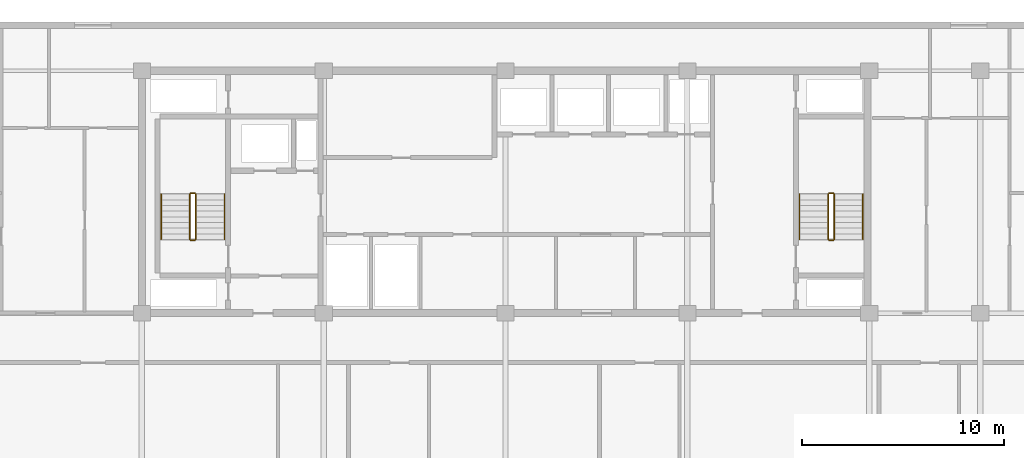
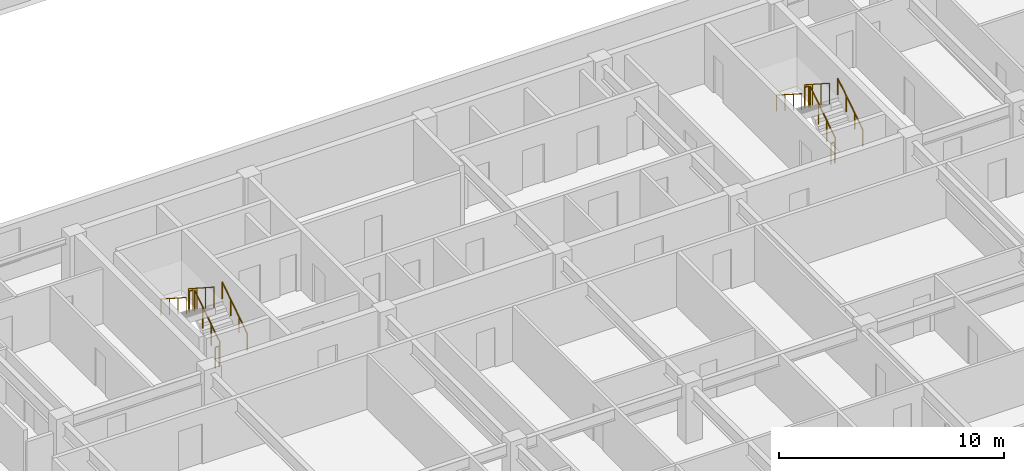
# One storey, part 18 of 21: 12 railings.
"""IFC4 building model written with IfcOpenShell, lengths in metres."""

from ifc_helpers import new_model, si_unit, direction, frame, origin, origin_2d, place, context, subcontext, project, spatial, circle, extrude, material, type_object, element, save


model = new_model("IFC4")

# Units and contexts
model_context = context("Model", 3, precision=1e-05, world=origin(), true_north=direction((0.0, 1.0)))
body_context = subcontext(model_context, "Body", "Model", "MODEL_VIEW")
ifc_project = project(units=[si_unit("LENGTHUNIT", "METRE"), si_unit("AREAUNIT", "SQUARE_METRE"), si_unit("VOLUMEUNIT", "CUBIC_METRE"), si_unit("PLANEANGLEUNIT", "RADIAN"), si_unit("MASSUNIT", "GRAM", prefix="KILO")], contexts=[model_context])

# Site, building, storey
site_placement = place(None, origin())
site = spatial("IfcSite", under=ifc_project, at=site_placement, CompositionType="ELEMENT")
building_placement = place(site_placement, origin())
building = spatial("IfcBuilding", under=site, at=building_placement, Name="Korimba Cascade Residences", CompositionType="ELEMENT")
storey_placement = place(building_placement, frame((0.0, 0.0, 113.300048828125)))
storey = spatial("IfcBuildingStorey", under=building, at=storey_placement, Name="L32", CompositionType="ELEMENT", Elevation=113.300048828125)

# Railings
ifc_material_1 = material(Name="Painted Steel Stairwell Guardrail", Category="steel")
railing_type_1 = type_object("IfcRailingType", Name="RLG-ST-GD1150", PredefinedType="GUARDRAIL", material=ifc_material_1)
railing_1_placement = place(storey_placement, frame((84.77001953125, 22.050048828125, 0.180419921875)))
element("IfcRailing", 1, at=railing_1_placement, inside=storey, type_object=railing_type_1, Name="L32 ST-E1 stair guard 1", PredefinedType="GUARDRAIL", context=body_context, shape_type="SweptSolid", body=[
    extrude(circle(Radius=0.02392578125, at=origin_2d()), frame((0.0, 0.0, 1.1259765625), z_axis=(0.0, 0.840394893359, 0.541974559565), x_axis=(-1.0, 0.0, 0.0)), (0.0, 0.0, 1.0), 2.665283203125),
    extrude(circle(Radius=0.02099609375, at=origin_2d()), origin(), (0.0, 0.0, 1.0), 1.101806640625),
    extrude(circle(Radius=0.02099609375, at=origin_2d()), frame((0.0, 0.74658203125, 0.4814453125)), (0.0, 0.0, 1.0), 1.101806640625),
    extrude(circle(Radius=0.02099609375, at=origin_2d()), frame((0.0, 1.493408203125, 0.963134765625)), (0.0, 0.0, 1.0), 1.101806640625),
    extrude(circle(Radius=0.02099609375, at=origin_2d()), frame((0.0, 2.239990234375, 1.444580078125)), (0.0, 0.0, 1.0), 1.101806640625),
])
railing_2_placement = place(storey_placement, frame((84.719970703125, 24.340087890625, 1.625)))
element("IfcRailing", 2, at=railing_2_placement, inside=storey, type_object=railing_type_1, Name="L32 ST-E1 stair guard 2", PredefinedType="GUARDRAIL", context=body_context, shape_type="SweptSolid", body=[
    extrude(circle(Radius=0.02392578125, at=origin_2d()), frame((0.0, 0.0, 1.1259765625), z_axis=(-1.0, 0.0, 0.0), x_axis=(0.0, -1.0, 0.0)), (0.0, 0.0, 1.0), 0.199951171875),
    extrude(circle(Radius=0.02099609375, at=origin_2d()), origin(), (0.0, 0.0, 1.0), 1.101806640625),
    extrude(circle(Radius=0.02099609375, at=origin_2d()), frame((-0.199951171875, 0.0, 0.0)), (0.0, 0.0, 1.0), 1.101806640625),
])
railing_3_placement = place(storey_placement, frame((84.469970703125, 24.2900390625, 1.805419921875)))
element("IfcRailing", 3, at=railing_3_placement, inside=storey, type_object=railing_type_1, Name="L32 ST-E1 stair guard 3", PredefinedType="GUARDRAIL", context=body_context, shape_type="SweptSolid", body=[
    extrude(circle(Radius=0.02392578125, at=origin_2d()), frame((0.0, 0.0, 1.1259765625), z_axis=(0.0, -0.840394893359, 0.541974559565), x_axis=(1.0, 0.0, 0.0)), (0.0, 0.0, 1.0), 2.665283203125),
    extrude(circle(Radius=0.02099609375, at=origin_2d()), origin(), (0.0, 0.0, 1.0), 1.101806640625),
    extrude(circle(Radius=0.02099609375, at=origin_2d()), frame((0.0, -0.74658203125, 0.4814453125)), (0.0, 0.0, 1.0), 1.101806640625),
    extrude(circle(Radius=0.02099609375, at=origin_2d()), frame((0.0, -1.493408203125, 0.963134765625)), (0.0, 0.0, 1.0), 1.101806640625),
    extrude(circle(Radius=0.02099609375, at=origin_2d()), frame((0.0, -2.239990234375, 1.444580078125)), (0.0, 0.0, 1.0), 1.101806640625),
])
railing_4_placement = place(storey_placement, frame((84.719970703125, 22.0, 0.0)))
element("IfcRailing", 4, at=railing_4_placement, inside=storey, type_object=railing_type_1, Name="L32 ST-E1 stair guard 4", PredefinedType="GUARDRAIL", context=body_context, shape_type="SweptSolid", body=[
    extrude(circle(Radius=0.02392578125, at=origin_2d()), frame((0.0, 0.0, 1.1259765625), z_axis=(-1.0, 0.0, 0.0), x_axis=(0.0, -1.0, 0.0)), (0.0, 0.0, 1.0), 0.199951171875),
    extrude(circle(Radius=0.02099609375, at=origin_2d()), origin(), (0.0, 0.0, 1.0), 1.101806640625),
    extrude(circle(Radius=0.02099609375, at=origin_2d()), frame((-0.199951171875, 0.0, 0.0)), (0.0, 0.0, 1.0), 1.101806640625),
])
railing_5_placement = place(storey_placement, frame((116.3701171875, 22.050048828125, 0.180419921875)))
element("IfcRailing", 5, at=railing_5_placement, inside=storey, type_object=railing_type_1, Name="L32 ST-E2 stair guard 1", PredefinedType="GUARDRAIL", context=body_context, shape_type="SweptSolid", body=[
    extrude(circle(Radius=0.02392578125, at=origin_2d()), frame((0.0, 0.0, 1.1259765625), z_axis=(0.0, 0.840394893359, 0.541974559565), x_axis=(-1.0, 0.0, 0.0)), (0.0, 0.0, 1.0), 2.665283203125),
    extrude(circle(Radius=0.02099609375, at=origin_2d()), origin(), (0.0, 0.0, 1.0), 1.101806640625),
    extrude(circle(Radius=0.02099609375, at=origin_2d()), frame((0.0, 0.74658203125, 0.4814453125)), (0.0, 0.0, 1.0), 1.101806640625),
    extrude(circle(Radius=0.02099609375, at=origin_2d()), frame((0.0, 1.493408203125, 0.963134765625)), (0.0, 0.0, 1.0), 1.101806640625),
    extrude(circle(Radius=0.02099609375, at=origin_2d()), frame((0.0, 2.239990234375, 1.444580078125)), (0.0, 0.0, 1.0), 1.101806640625),
])
railing_6_placement = place(storey_placement, frame((116.320068359375, 24.340087890625, 1.625)))
element("IfcRailing", 6, at=railing_6_placement, inside=storey, type_object=railing_type_1, Name="L32 ST-E2 stair guard 2", PredefinedType="GUARDRAIL", context=body_context, shape_type="SweptSolid", body=[
    extrude(circle(Radius=0.02392578125, at=origin_2d()), frame((0.0, 0.0, 1.1259765625), z_axis=(-1.0, 0.0, 0.0), x_axis=(0.0, -1.0, 0.0)), (0.0, 0.0, 1.0), 0.199951171875),
    extrude(circle(Radius=0.02099609375, at=origin_2d()), origin(), (0.0, 0.0, 1.0), 1.101806640625),
    extrude(circle(Radius=0.02099609375, at=origin_2d()), frame((-0.199951171875, 0.0, 0.0)), (0.0, 0.0, 1.0), 1.101806640625),
])
railing_7_placement = place(storey_placement, frame((116.070068359375, 24.2900390625, 1.805419921875)))
element("IfcRailing", 7, at=railing_7_placement, inside=storey, type_object=railing_type_1, Name="L32 ST-E2 stair guard 3", PredefinedType="GUARDRAIL", context=body_context, shape_type="SweptSolid", body=[
    extrude(circle(Radius=0.02392578125, at=origin_2d()), frame((0.0, 0.0, 1.1259765625), z_axis=(0.0, -0.840394893359, 0.541974559565), x_axis=(1.0, 0.0, 0.0)), (0.0, 0.0, 1.0), 2.665283203125),
    extrude(circle(Radius=0.02099609375, at=origin_2d()), origin(), (0.0, 0.0, 1.0), 1.101806640625),
    extrude(circle(Radius=0.02099609375, at=origin_2d()), frame((0.0, -0.74658203125, 0.4814453125)), (0.0, 0.0, 1.0), 1.101806640625),
    extrude(circle(Radius=0.02099609375, at=origin_2d()), frame((0.0, -1.493408203125, 0.963134765625)), (0.0, 0.0, 1.0), 1.101806640625),
    extrude(circle(Radius=0.02099609375, at=origin_2d()), frame((0.0, -2.239990234375, 1.444580078125)), (0.0, 0.0, 1.0), 1.101806640625),
])
railing_8_placement = place(storey_placement, frame((116.320068359375, 22.0, 0.0)))
element("IfcRailing", 8, at=railing_8_placement, inside=storey, type_object=railing_type_1, Name="L32 ST-E2 stair guard 4", PredefinedType="GUARDRAIL", context=body_context, shape_type="SweptSolid", body=[
    extrude(circle(Radius=0.02392578125, at=origin_2d()), frame((0.0, 0.0, 1.1259765625), z_axis=(-1.0, 0.0, 0.0), x_axis=(0.0, -1.0, 0.0)), (0.0, 0.0, 1.0), 0.199951171875),
    extrude(circle(Radius=0.02099609375, at=origin_2d()), origin(), (0.0, 0.0, 1.0), 1.101806640625),
    extrude(circle(Radius=0.02099609375, at=origin_2d()), frame((-0.199951171875, 0.0, 0.0)), (0.0, 0.0, 1.0), 1.101806640625),
])
ifc_material_2 = material(Name="Brushed Stainless Steel Handrail", Category="steel")
railing_type_2 = type_object("IfcRailingType", Name="RLG-ST-HR900", PredefinedType="HANDRAIL", material=ifc_material_2)
railing_9_placement = place(storey_placement, frame((86.18994140625, 22.050048828125, 0.364990234375)))
element("IfcRailing", 9, at=railing_9_placement, inside=storey, type_object=railing_type_2, Name="L32 ST-E1 stair handrail 1", PredefinedType="HANDRAIL", context=body_context, shape_type="SweptSolid", body=[
    extrude(circle(Radius=0.02392578125, at=origin_2d()), frame((0.0, 0.0, 0.8759765625), z_axis=(0.0, 0.840436612492, 0.541909863706), x_axis=(-1.0, 0.0, 0.0)), (0.0, 0.0, 1.0), 2.665283203125),
    extrude(circle(Radius=0.02099609375, at=origin_2d()), origin(), (0.0, 0.0, 1.0), 0.851806640625),
    extrude(circle(Radius=0.02099609375, at=origin_2d()), frame((0.0, 0.74658203125, 0.4814453125)), (0.0, 0.0, 1.0), 0.851806640625),
    extrude(circle(Radius=0.02099609375, at=origin_2d()), frame((0.0, 1.493408203125, 0.962890625)), (0.0, 0.0, 1.0), 0.851806640625),
    extrude(circle(Radius=0.02099609375, at=origin_2d()), frame((0.0, 2.239990234375, 1.4443359375)), (0.0, 0.0, 1.0), 0.851806640625),
])
railing_10_placement = place(storey_placement, frame((83.050048828125, 24.2900390625, 1.989990234375)))
element("IfcRailing", 10, at=railing_10_placement, inside=storey, type_object=railing_type_2, Name="L32 ST-E1 stair handrail 2", PredefinedType="HANDRAIL", context=body_context, shape_type="SweptSolid", body=[
    extrude(circle(Radius=0.02392578125, at=origin_2d()), frame((0.0, 0.0, 0.8759765625), z_axis=(0.0, -0.840436612492, 0.541909863706), x_axis=(1.0, 0.0, 0.0)), (0.0, 0.0, 1.0), 2.665283203125),
    extrude(circle(Radius=0.02099609375, at=origin_2d()), origin(), (0.0, 0.0, 1.0), 0.851806640625),
    extrude(circle(Radius=0.02099609375, at=origin_2d()), frame((0.0, -0.74658203125, 0.4814453125)), (0.0, 0.0, 1.0), 0.851806640625),
    extrude(circle(Radius=0.02099609375, at=origin_2d()), frame((0.0, -1.493408203125, 0.962890625)), (0.0, 0.0, 1.0), 0.851806640625),
    extrude(circle(Radius=0.02099609375, at=origin_2d()), frame((0.0, -2.239990234375, 1.4443359375)), (0.0, 0.0, 1.0), 0.851806640625),
])
railing_11_placement = place(storey_placement, frame((117.7900390625, 22.050048828125, 0.364990234375)))
element("IfcRailing", 11, at=railing_11_placement, inside=storey, type_object=railing_type_2, Name="L32 ST-E2 stair handrail 1", PredefinedType="HANDRAIL", context=body_context, shape_type="SweptSolid", body=[
    extrude(circle(Radius=0.02392578125, at=origin_2d()), frame((0.0, 0.0, 0.8759765625), z_axis=(0.0, 0.840436612492, 0.541909863706), x_axis=(-1.0, 0.0, 0.0)), (0.0, 0.0, 1.0), 2.665283203125),
    extrude(circle(Radius=0.02099609375, at=origin_2d()), origin(), (0.0, 0.0, 1.0), 0.851806640625),
    extrude(circle(Radius=0.02099609375, at=origin_2d()), frame((0.0, 0.74658203125, 0.4814453125)), (0.0, 0.0, 1.0), 0.851806640625),
    extrude(circle(Radius=0.02099609375, at=origin_2d()), frame((0.0, 1.493408203125, 0.962890625)), (0.0, 0.0, 1.0), 0.851806640625),
    extrude(circle(Radius=0.02099609375, at=origin_2d()), frame((0.0, 2.239990234375, 1.4443359375)), (0.0, 0.0, 1.0), 0.851806640625),
])
railing_12_placement = place(storey_placement, frame((114.64990234375, 24.2900390625, 1.989990234375)))
element("IfcRailing", 12, at=railing_12_placement, inside=storey, type_object=railing_type_2, Name="L32 ST-E2 stair handrail 2", PredefinedType="HANDRAIL", context=body_context, shape_type="SweptSolid", body=[
    extrude(circle(Radius=0.02392578125, at=origin_2d()), frame((0.0, 0.0, 0.8759765625), z_axis=(0.0, -0.840436612492, 0.541909863706), x_axis=(1.0, 0.0, 0.0)), (0.0, 0.0, 1.0), 2.665283203125),
    extrude(circle(Radius=0.02099609375, at=origin_2d()), origin(), (0.0, 0.0, 1.0), 0.851806640625),
    extrude(circle(Radius=0.02099609375, at=origin_2d()), frame((0.0, -0.74658203125, 0.4814453125)), (0.0, 0.0, 1.0), 0.851806640625),
    extrude(circle(Radius=0.02099609375, at=origin_2d()), frame((0.0, -1.493408203125, 0.962890625)), (0.0, 0.0, 1.0), 0.851806640625),
    extrude(circle(Radius=0.02099609375, at=origin_2d()), frame((0.0, -2.239990234375, 1.4443359375)), (0.0, 0.0, 1.0), 0.851806640625),
])

save(model, "model.ifc")
